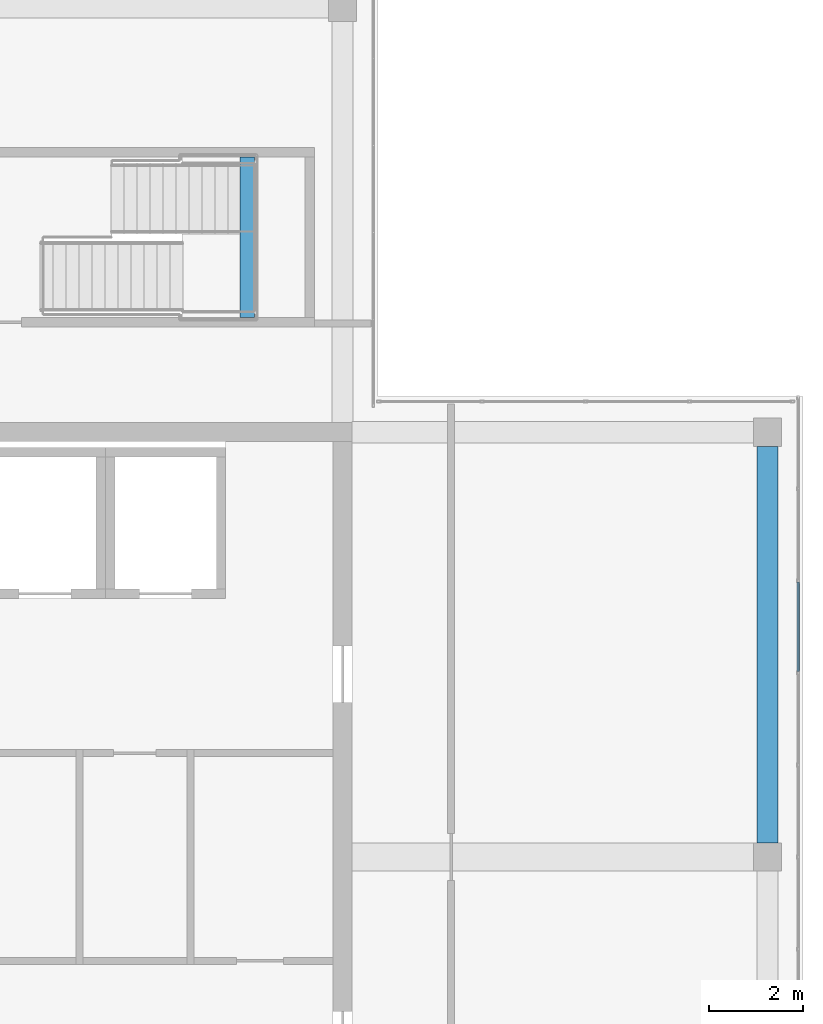
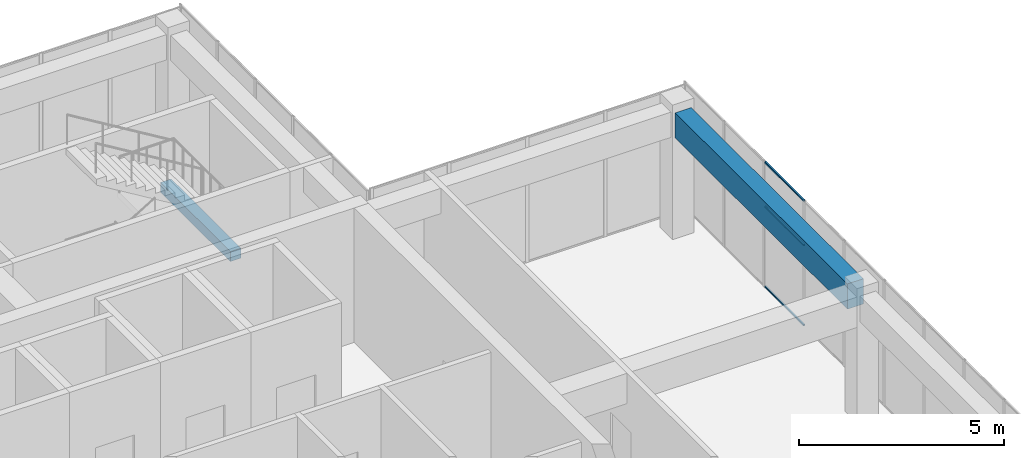
# One storey, part 16 of 32: 3 members, 2 beams, 1 element without a shape of its own.
"""IFC4 building model written with IfcOpenShell, lengths in metres."""

from ifc_helpers import new_model, si_unit, direction, frame, origin, origin_2d, place, context, subcontext, project, spatial, rectangle, hollow_rectangle, extrude, material, layer, layer_set, material_profile, profile_set, type_object, element, aggregate, save


model = new_model("IFC4")

# Units and contexts
model_context = context("Model", 3, precision=1e-05, world=origin(), true_north=direction((0.0, 1.0)))
body_context = subcontext(model_context, "Body", "Model", "MODEL_VIEW")
ifc_project = project(units=[si_unit("LENGTHUNIT", "METRE"), si_unit("AREAUNIT", "SQUARE_METRE"), si_unit("VOLUMEUNIT", "CUBIC_METRE"), si_unit("PLANEANGLEUNIT", "RADIAN"), si_unit("MASSUNIT", "GRAM", prefix="KILO")], contexts=[model_context])

# Site, building, storey
site_placement = place(None, origin())
site = spatial("IfcSite", under=ifc_project, at=site_placement, CompositionType="ELEMENT")
building_placement = place(site_placement, origin())
building = spatial("IfcBuilding", under=site, at=building_placement, Name="Tuart Plaza Theatre", CompositionType="ELEMENT")
storey_placement = place(building_placement, frame((0.0, 0.0, 41.5)))
storey = spatial("IfcBuildingStorey", under=building, at=storey_placement, Name="L10", CompositionType="ELEMENT", Elevation=41.5)

# Beams
ifc_material_1 = material(Name="Concrete N40 (40 MPa)", Category="concrete")
ifc_material_profile_1 = material_profile(ifc_material_1, rectangle(XDim=0.300048828125, YDim=0.300048828125, at=origin_2d()), Name="BEAM 300x300 Concrete N40 (40 MPa)")
ifc_profile_set_1 = profile_set([ifc_material_profile_1], Name="Concrete N40 (40 MPa)")
beam_type_1 = type_object("IfcBeamType", Name="BEAM 300x300 Concrete N40 (40 MPa)", PredefinedType="BEAM", material=ifc_profile_set_1)
beam_1_placement = place(storey_placement, frame((138.97998046875, 85.425048828125, 1.64990234375), z_axis=(0.0, 1.0, 0.0), x_axis=(-1.0, 0.0, 0.0)))
element("IfcBeam", 1, at=beam_1_placement, inside=storey, type_object=beam_type_1, Name="RB522", PredefinedType="BEAM", context=body_context, shape_type="SweptSolid", body=[
    extrude(rectangle(XDim=0.300048828125, YDim=0.300048828125, at=origin_2d()), origin(), (0.0, 0.0, 1.0), 3.39990234375),
])
ifc_material_2 = material(Name="Concrete N40 (40 MPa)", Category="concrete")
ifc_material_profile_2 = material_profile(ifc_material_2, rectangle(XDim=0.449951171875, YDim=0.75, at=origin_2d()), Name="BEAM 450x750 Concrete N40 (40 MPa)")
ifc_profile_set_2 = profile_set([ifc_material_profile_2], Name="Concrete N40 (40 MPa)")
beam_type_2 = type_object("IfcBeamType", Name="BEAM 450x750 Concrete N40 (40 MPa)", PredefinedType="BEAM", material=ifc_profile_set_2)
beam_2_placement = place(storey_placement, frame((150.0, 74.300048828125, 3.375), z_axis=(0.0, 1.0, 0.0), x_axis=(-1.0, 0.0, 0.0)))
element("IfcBeam", 2, at=beam_2_placement, inside=storey, type_object=beam_type_2, Name="RB310", PredefinedType="BEAM", context=body_context, shape_type="SweptSolid", body=[
    extrude(rectangle(XDim=0.449951171875, YDim=0.75, at=origin_2d()), origin(), (0.0, 0.0, 1.0), 8.39990234375),
])

# Curtain wall, members
ifc_material_3 = material(Name="Aluminium and glass", Category="aluminium")
ifc_layer = layer(ifc_material_3, 0.10009765625)
ifc_layer_set = layer_set([ifc_layer], Name="CURTAIN WALL 2000 module")
curtain_wall_type = type_object("IfcCurtainWallType", Name="CURTAIN WALL 2000 module", PredefinedType="NOTDEFINED", material=ifc_layer_set)
curtain_wall_placement = place(storey_placement, origin())
curtain_wall = element("IfcCurtainWall", 3, at=curtain_wall_placement, inside=storey, type_object=curtain_wall_type, Name="CW102", PredefinedType="NOTDEFINED")
ifc_material_4 = material(Name="Aluminium 6063-T5", Category="aluminium")
ifc_material_profile_3 = material_profile(ifc_material_4, hollow_rectangle(XDim=0.050048828125, YDim=0.050048828125, WallThickness=0.00390625, InnerFilletRadius=0.00390625, OuterFilletRadius=0.008056640625, at=origin_2d()), Name="RHS 50x50x4")
ifc_profile_set_3 = profile_set([ifc_material_profile_3], Name="Aluminium 6063-T5")
member_type = type_object("IfcMemberType", Name="TRANSOM RHS 50x50x4", PredefinedType="USERDEFINED", material=ifc_profile_set_3)
member_1_placement = place(storey_placement, frame((150.64990234375, 77.925048828125, 0.02490234375), z_axis=(0.0, 1.0, 0.0), x_axis=(-1.0, 0.0, 0.0)))
member_1 = element("IfcMember", 4, at=member_1_placement, type_object=member_type, Name="CW102 transom 8.1", ObjectType="TRANSOM", PredefinedType="USERDEFINED", context=body_context, shape_type="SweptSolid", body=[
    extrude(hollow_rectangle(XDim=0.050048828125, YDim=0.050048828125, WallThickness=0.00390625, InnerFilletRadius=0.00390625, OuterFilletRadius=0.008056640625, at=origin_2d()), origin(), (0.0, 0.0, 1.0), 1.89990234375),
])
member_2_placement = place(storey_placement, frame((150.64990234375, 77.925048828125, 2.39990234375), z_axis=(0.0, 1.0, 0.0), x_axis=(-1.0, 0.0, 0.0)))
member_2 = element("IfcMember", 5, at=member_2_placement, type_object=member_type, Name="CW102 transom 8.2", ObjectType="TRANSOM", PredefinedType="USERDEFINED", context=body_context, shape_type="SweptSolid", body=[
    extrude(hollow_rectangle(XDim=0.050048828125, YDim=0.050048828125, WallThickness=0.00390625, InnerFilletRadius=0.00390625, OuterFilletRadius=0.008056640625, at=origin_2d()), origin(), (0.0, 0.0, 1.0), 1.89990234375),
])
member_3_placement = place(storey_placement, frame((150.64990234375, 77.925048828125, 3.72509765625), z_axis=(0.0, 1.0, 0.0), x_axis=(-1.0, 0.0, 0.0)))
member_3 = element("IfcMember", 6, at=member_3_placement, type_object=member_type, Name="CW102 transom 8.3", ObjectType="TRANSOM", PredefinedType="USERDEFINED", context=body_context, shape_type="SweptSolid", body=[
    extrude(hollow_rectangle(XDim=0.050048828125, YDim=0.050048828125, WallThickness=0.00390625, InnerFilletRadius=0.00390625, OuterFilletRadius=0.008056640625, at=origin_2d()), origin(), (0.0, 0.0, 1.0), 1.89990234375),
])
aggregate(curtain_wall, [member_1, member_2, member_3])

save(model, "model.ifc")
